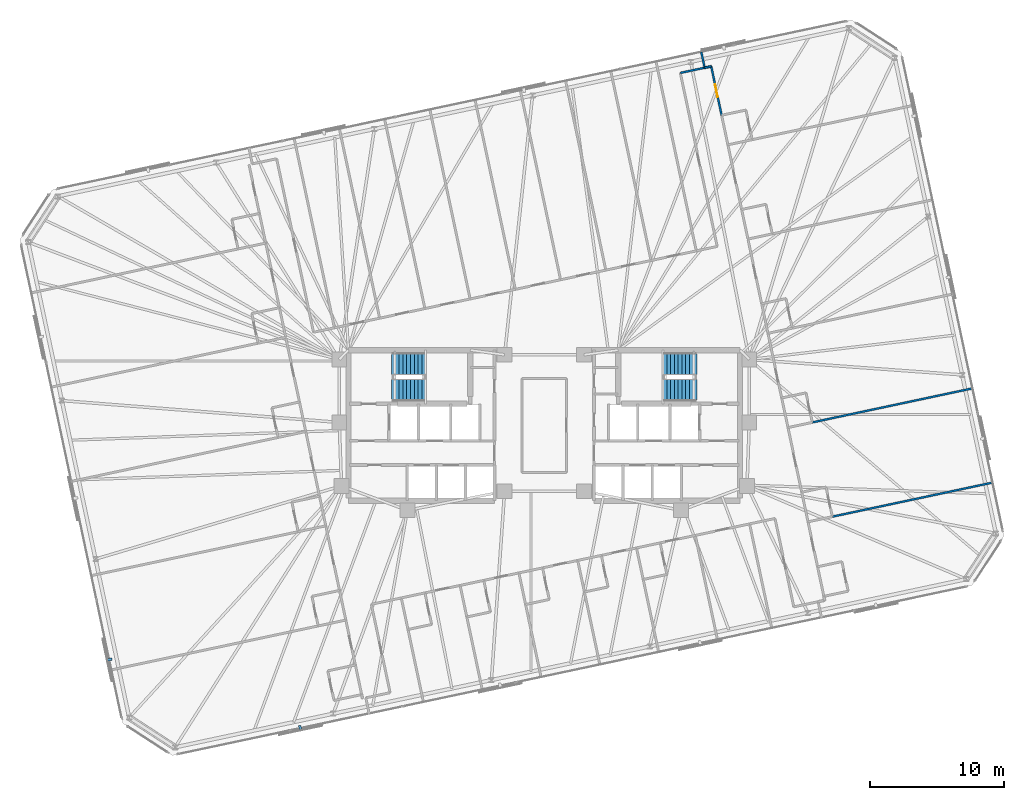
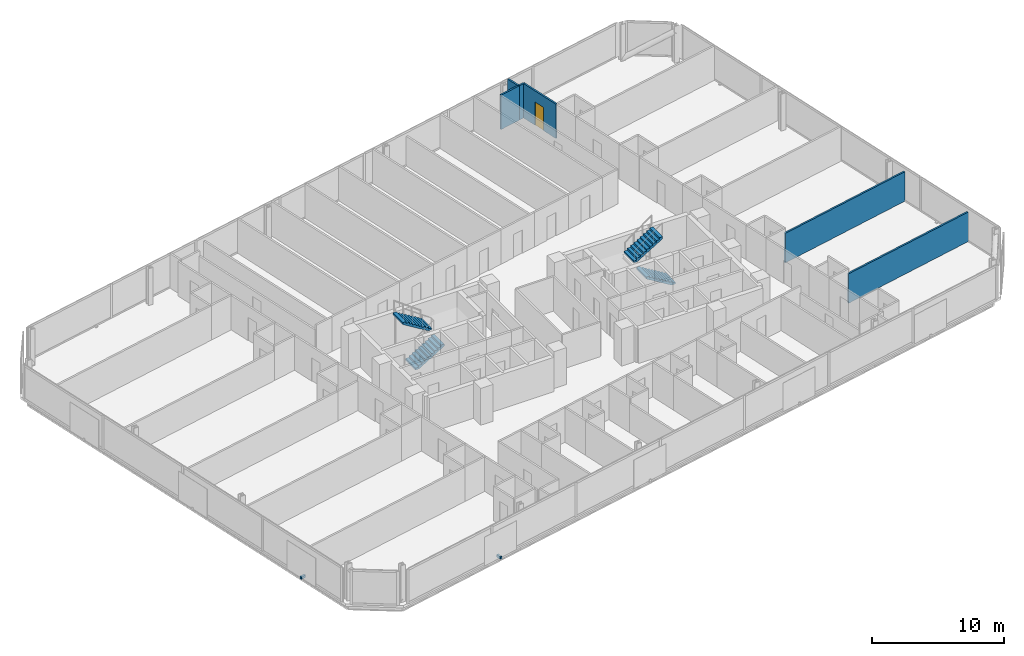
# One storey, part 19 of 21: 6 walls, 4 stair flights, 2 discrete accessories, 1 door, 1 opening, 2 elements without a shape of their own.
"""IFC4 building model written with IfcOpenShell, lengths in metres."""

from ifc_helpers import new_model, si_unit, direction, frame, frame_2d, origin, origin_2d, place, context, subcontext, project, spatial, polyline, rectangle, outline, extrude, material, layer, layer_set, type_object, element, fill, aggregate, save


model = new_model("IFC4")

# Units and contexts
model_context = context("Model", 3, precision=1e-05, world=origin(), true_north=direction((0.0, 1.0)))
body_context = subcontext(model_context, "Body", "Model", "MODEL_VIEW")
ifc_project = project(units=[si_unit("LENGTHUNIT", "METRE"), si_unit("AREAUNIT", "SQUARE_METRE"), si_unit("VOLUMEUNIT", "CUBIC_METRE"), si_unit("PLANEANGLEUNIT", "RADIAN"), si_unit("MASSUNIT", "GRAM", prefix="KILO")], contexts=[model_context])

# Site, building, storey
site_placement = place(None, origin())
site = spatial("IfcSite", under=ifc_project, at=site_placement, CompositionType="ELEMENT")
building_placement = place(site_placement, origin())
building = spatial("IfcBuilding", under=site, at=building_placement, Name="Menara Jurai Vektor", CompositionType="ELEMENT")
storey_placement = place(building_placement, frame((0.0, 0.0, 168.39990234375)))
storey = spatial("IfcBuildingStorey", under=building, at=storey_placement, Name="L43", CompositionType="ELEMENT", Elevation=168.39990234375)

# Walls
ifc_material_1 = material(Name="Gypsum Fireboard Partition", Category="gypsum")
ifc_layer_1 = layer(ifc_material_1, 0.14990234375)
ifc_layer_set_1 = layer_set([ifc_layer_1], Name="Gypsum Fireboard Partition")
wall_type_1 = type_object("IfcWallType", Name="INT-WALL-CORR-150", PredefinedType="PARTITIONING", material=ifc_layer_set_1)
wall_1_placement = place(storey_placement, frame((10.118408203125, 26.21435546875, 0.0), z_axis=(0.0, 0.0, 1.0), x_axis=(0.978133353907, 0.20797870558, 0.0)))
element("IfcWall", 1, at=wall_1_placement, inside=storey, type_object=wall_type_1, Name="Interior Wall IW-150 L43", PredefinedType="PARTITIONING", context=body_context, shape_type="SweptSolid", body=[
    extrude(rectangle(XDim=1.85009765625, YDim=0.14990234375, at=frame_2d((0.925048828125, 0.0))), origin(), (0.0, 0.0, 1.0), 3.175048828125),
])
wall_2_placement = place(storey_placement, frame((11.927978515625, 26.59912109375, 0.0), z_axis=(0.0, 0.0, 1.0), x_axis=(0.97822210712, 0.207560856478, 0.0)))
element("IfcWall", 2, at=wall_2_placement, inside=storey, type_object=wall_type_1, Name="Interior Wall IW-150 L43", PredefinedType="PARTITIONING", context=body_context, shape_type="SweptSolid", body=[
    extrude(rectangle(XDim=0.5, YDim=0.14990234375, at=frame_2d((0.25, 0.0))), origin(), (0.0, 0.0, 1.0), 3.175048828125),
])

# Wall, opening, door
wall_3_placement = place(storey_placement, frame((13.18994140625, 23.067138671875, 0.0), z_axis=(0.0, 0.0, 1.0), x_axis=(-0.207949879289, 0.978139482745, 0.0)))
wall_3 = element("IfcWall", 3, at=wall_3_placement, inside=storey, type_object=wall_type_1, Name="Interior Wall IW-150 L43", PredefinedType="PARTITIONING", context=body_context, shape_type="SweptSolid", body=[
    extrude(rectangle(XDim=3.717041015625, YDim=0.14990234375, at=frame_2d((1.8583984375, 0.0))), origin(), (0.0, 0.0, 1.0), 3.175048828125),
])
opening_placement = place(wall_3_placement, frame((1.383544921875, 0.0, 0.0)))
opening = element("IfcOpeningElement", 4, at=opening_placement, cuts=wall_3, Name="Opening D43-52", PredefinedType="OPENING", context=body_context, shape_type="SweptSolid", body=[
    extrude(rectangle(XDim=0.949951171875, YDim=2.14990234375, at=frame_2d((0.47509765625, 1.074951171875))), frame((0.0, 0.0849609375, 0.0), z_axis=(0.0, -1.0, 0.0), x_axis=(1.0, 0.0, 0.0)), (0.0, 0.0, 1.0), 0.169921875),
])
ifc_material_2 = material(Name="Solid Core Timber Fire Door", Category="wood")
door_type = type_object("IfcDoorType", Name="DR-ENTRY-950", OperationType="NOTDEFINED", PredefinedType="DOOR", material=ifc_material_2)
door_placement = place(opening_placement, origin())
door = element("IfcDoor", 5, at=door_placement, inside=storey, type_object=door_type, Name="Interior Door D43-52", OperationType="SINGLE_SWING_LEFT", OverallHeight=2.14990234375, OverallWidth=0.949951171875, PredefinedType="DOOR", context=body_context, shape_type="SweptSolid", body=[
    extrude(rectangle(XDim=0.949951171875, YDim=2.14990234375, at=frame_2d((0.47509765625, 1.074951171875))), frame((0.0, 0.02490234375, 0.0), z_axis=(0.0, -1.0, 0.0), x_axis=(1.0, 0.0, 0.0)), (0.0, 0.0, 1.0), 0.050048828125),
])
fill(opening, door)

# Walls
wall_4_placement = place(storey_placement, frame((11.927978515625, 26.59912109375, 0.0), z_axis=(0.0, 0.0, 1.0), x_axis=(-0.20795853359, 0.978137642823, 0.0)))
element("IfcWall", 6, at=wall_4_placement, inside=storey, type_object=wall_type_1, Name="Interior Wall IW-150 L43", PredefinedType="PARTITIONING", context=body_context, shape_type="SweptSolid", body=[
    extrude(rectangle(XDim=1.19970703125, YDim=0.14990234375, at=frame_2d((0.599853515625, 0.0))), origin(), (0.0, 0.0, 1.0), 3.175048828125),
])
ifc_layer_2 = layer(ifc_material_1, 0.14990234375)
ifc_layer_set_2 = layer_set([ifc_layer_2], Name="Gypsum Fireboard Partition")
wall_type_2 = type_object("IfcWallType", Name="INT-WALL-CORR-150-H1", PredefinedType="PARTITIONING", material=ifc_layer_set_2)
wall_5_placement = place(storey_placement, frame((21.42724609375, -6.78857421875, 0.0), z_axis=(0.0, 0.0, 1.0), x_axis=(0.97814556055, 0.207921288896, 0.0)))
element("IfcWall", 7, at=wall_5_placement, inside=storey, type_object=wall_type_2, Name="Interior Wall IW-150 L43", PredefinedType="PARTITIONING", context=body_context, shape_type="SweptSolid", body=[
    extrude(rectangle(XDim=12.18701171875, YDim=0.14990234375, at=frame_2d((6.093505859375, 0.0))), origin(), (0.0, 0.0, 1.0), 2.72509765625),
])
wall_6_placement = place(storey_placement, frame((19.9375, 0.220703125, 0.0), z_axis=(0.0, 0.0, 1.0), x_axis=(0.978144694478, 0.207925363208, 0.0)))
element("IfcWall", 8, at=wall_6_placement, inside=storey, type_object=wall_type_2, Name="Interior Wall IW-150 L43", PredefinedType="PARTITIONING", context=body_context, shape_type="SweptSolid", body=[
    extrude(rectangle(XDim=12.186767578125, YDim=0.14990234375, at=frame_2d((6.09326171875, 0.0))), origin(), (0.0, 0.0, 1.0), 2.72509765625),
])

# Stair, stair flights
ifc_material_3 = material(Name="Concrete C40/50", Category="concrete")
stair_type = type_object("IfcStairType", Name="STAIR-DOGLEG-1500", PredefinedType="HALF_TURN_STAIR", material=ifc_material_3)
stair_1_placement = place(storey_placement, origin())
stair_1 = element("IfcStair", 9, at=stair_1_placement, inside=storey, type_object=stair_type, Name="Protected Exit Stair ST1 L43", PredefinedType="HALF_TURN_STAIR")
stair_flight_type = type_object("IfcStairFlightType", Name="STAIR-FLIGHT-1500", PredefinedType="STRAIGHT", material=ifc_material_3)
stair_flight_1_placement = place(storey_placement, frame((-11.35009765625, 2.64990234375, 0.0), z_axis=(0.0, 0.0, 1.0), x_axis=(1.0, 0.0, 0.0)))
stair_flight_1 = element("IfcStairFlight", 10, at=stair_flight_1_placement, type_object=stair_flight_type, Name="ST1 flight 1", NumberOfRisers=10, NumberOfTreads=9, PredefinedType="STRAIGHT", RiserHeight=0.17, TreadLength=0.28, context=body_context, shape_type="SweptSolid", body=[
    extrude(outline(polyline([(0.0, 0.0), (0.0, 0.169921875), (0.280029296875, 0.169921875), (0.280029296875, 0.340087890625), (0.56005859375, 0.340087890625), (0.56005859375, 0.510009765625), (0.840087890625, 0.510009765625), (0.840087890625, 0.679931640625), (1.1201171875, 0.679931640625), (1.1201171875, 0.85009765625), (1.39990234375, 0.85009765625), (1.39990234375, 1.02001953125), (1.679931640625, 1.02001953125), (1.679931640625, 1.18994140625), (1.9599609375, 1.18994140625), (1.9599609375, 1.360107421875), (2.239990234375, 1.360107421875), (2.239990234375, 1.530029296875), (2.52001953125, 1.530029296875), (2.52001953125, 1.699951171875), (2.52001953125, 1.343017578125), (0.30810546875, 0.0), (0.0, 0.0)])), frame((0.0, 0.75, 0.0), z_axis=(0.0, -1.0, 0.0), x_axis=(1.0, 0.0, 0.0)), (0.0, 0.0, 1.0), 1.5),
])
stair_flight_2_placement = place(storey_placement, frame((-8.830078125, 4.550048828125, 1.7001953125), z_axis=(0.0, 0.0, 1.0), x_axis=(-1.0, 0.0, 0.0)))
stair_flight_2 = element("IfcStairFlight", 11, at=stair_flight_2_placement, type_object=stair_flight_type, Name="ST1 flight 2", NumberOfRisers=10, NumberOfTreads=9, PredefinedType="STRAIGHT", RiserHeight=0.17, TreadLength=0.28, context=body_context, shape_type="SweptSolid", body=[
    extrude(outline(polyline([(0.0, 0.0), (0.0, 0.169921875), (0.280029296875, 0.169921875), (0.280029296875, 0.340087890625), (0.56005859375, 0.340087890625), (0.56005859375, 0.510009765625), (0.840087890625, 0.510009765625), (0.840087890625, 0.679931640625), (1.1201171875, 0.679931640625), (1.1201171875, 0.85009765625), (1.39990234375, 0.85009765625), (1.39990234375, 1.02001953125), (1.679931640625, 1.02001953125), (1.679931640625, 1.18994140625), (1.9599609375, 1.18994140625), (1.9599609375, 1.360107421875), (2.239990234375, 1.360107421875), (2.239990234375, 1.530029296875), (2.52001953125, 1.530029296875), (2.52001953125, 1.699951171875), (2.52001953125, 1.343017578125), (0.30810546875, 0.0), (0.0, 0.0)])), frame((0.0, 0.75, 0.0), z_axis=(0.0, -1.0, 0.0), x_axis=(1.0, 0.0, 0.0)), (0.0, 0.0, 1.0), 1.5),
])
aggregate(stair_1, [stair_flight_1, stair_flight_2])

stair_2_placement = place(storey_placement, origin())
stair_2 = element("IfcStair", 12, at=stair_2_placement, inside=storey, type_object=stair_type, Name="Protected Exit Stair ST2 L43", PredefinedType="HALF_TURN_STAIR")
stair_flight_3_placement = place(storey_placement, frame((11.35009765625, 2.64990234375, 0.0), z_axis=(0.0, 0.0, 1.0), x_axis=(-1.0, 0.0, 0.0)))
stair_flight_3 = element("IfcStairFlight", 13, at=stair_flight_3_placement, type_object=stair_flight_type, Name="ST2 flight 1", NumberOfRisers=10, NumberOfTreads=9, PredefinedType="STRAIGHT", RiserHeight=0.17, TreadLength=0.28, context=body_context, shape_type="SweptSolid", body=[
    extrude(outline(polyline([(0.0, 0.0), (0.0, 0.169921875), (0.280029296875, 0.169921875), (0.280029296875, 0.340087890625), (0.56005859375, 0.340087890625), (0.56005859375, 0.510009765625), (0.840087890625, 0.510009765625), (0.840087890625, 0.679931640625), (1.1201171875, 0.679931640625), (1.1201171875, 0.85009765625), (1.39990234375, 0.85009765625), (1.39990234375, 1.02001953125), (1.679931640625, 1.02001953125), (1.679931640625, 1.18994140625), (1.9599609375, 1.18994140625), (1.9599609375, 1.360107421875), (2.239990234375, 1.360107421875), (2.239990234375, 1.530029296875), (2.52001953125, 1.530029296875), (2.52001953125, 1.699951171875), (2.52001953125, 1.343017578125), (0.30810546875, 0.0), (0.0, 0.0)])), frame((0.0, 0.75, 0.0), z_axis=(0.0, -1.0, 0.0), x_axis=(1.0, 0.0, 0.0)), (0.0, 0.0, 1.0), 1.5),
])
stair_flight_4_placement = place(storey_placement, frame((8.830078125, 4.550048828125, 1.7001953125), z_axis=(0.0, 0.0, 1.0), x_axis=(1.0, 0.0, 0.0)))
stair_flight_4 = element("IfcStairFlight", 14, at=stair_flight_4_placement, type_object=stair_flight_type, Name="ST2 flight 2", NumberOfRisers=10, NumberOfTreads=9, PredefinedType="STRAIGHT", RiserHeight=0.17, TreadLength=0.28, context=body_context, shape_type="SweptSolid", body=[
    extrude(outline(polyline([(0.0, 0.0), (0.0, 0.169921875), (0.280029296875, 0.169921875), (0.280029296875, 0.340087890625), (0.56005859375, 0.340087890625), (0.56005859375, 0.510009765625), (0.840087890625, 0.510009765625), (0.840087890625, 0.679931640625), (1.1201171875, 0.679931640625), (1.1201171875, 0.85009765625), (1.39990234375, 0.85009765625), (1.39990234375, 1.02001953125), (1.679931640625, 1.02001953125), (1.679931640625, 1.18994140625), (1.9599609375, 1.18994140625), (1.9599609375, 1.360107421875), (2.239990234375, 1.360107421875), (2.239990234375, 1.530029296875), (2.52001953125, 1.530029296875), (2.52001953125, 1.699951171875), (2.52001953125, 1.343017578125), (0.30810546875, 0.0), (0.0, 0.0)])), frame((0.0, 0.75, 0.0), z_axis=(0.0, -1.0, 0.0), x_axis=(1.0, 0.0, 0.0)), (0.0, 0.0, 1.0), 1.5),
])
aggregate(stair_2, [stair_flight_3, stair_flight_4])

# Discrete accessories
ifc_material_4 = material(Name="Steel S355", Category="steel")
discrete_accessory_type = type_object("IfcDiscreteAccessoryType", Name="ENV-ACC-BRACKET", PredefinedType="BRACKET", material=ifc_material_4)
for number, where, z_axis, x_axis, name in (
    (15, (-18.148193359375, -22.537841796875, -0.1298828125), (0.0, 0.0, 1.0), (0.978147600734, 0.207911690818, 0.0), "Solar Screen Stand-Off Bracket L43-S01"),
    (16, (-32.359619140625, -17.425537109375, -0.1298828125), (0.0, 0.0, 1.0), (0.207911690818, -0.978147600734, 0.0), "Solar Screen Stand-Off Bracket L43-S14"),
):
    element("IfcDiscreteAccessory", number, at=place(storey_placement, frame(where, z_axis=z_axis, x_axis=x_axis)), inside=storey, type_object=discrete_accessory_type, Name=name, PredefinedType="BRACKET", context=body_context, shape_type="SweptSolid", body=[
        extrude(rectangle(XDim=0.179931640625, YDim=0.43994140625, at=origin_2d()), origin(), (0.0, 0.0, 1.0), 0.219970703125),
    ])

save(model, "model.ifc")
